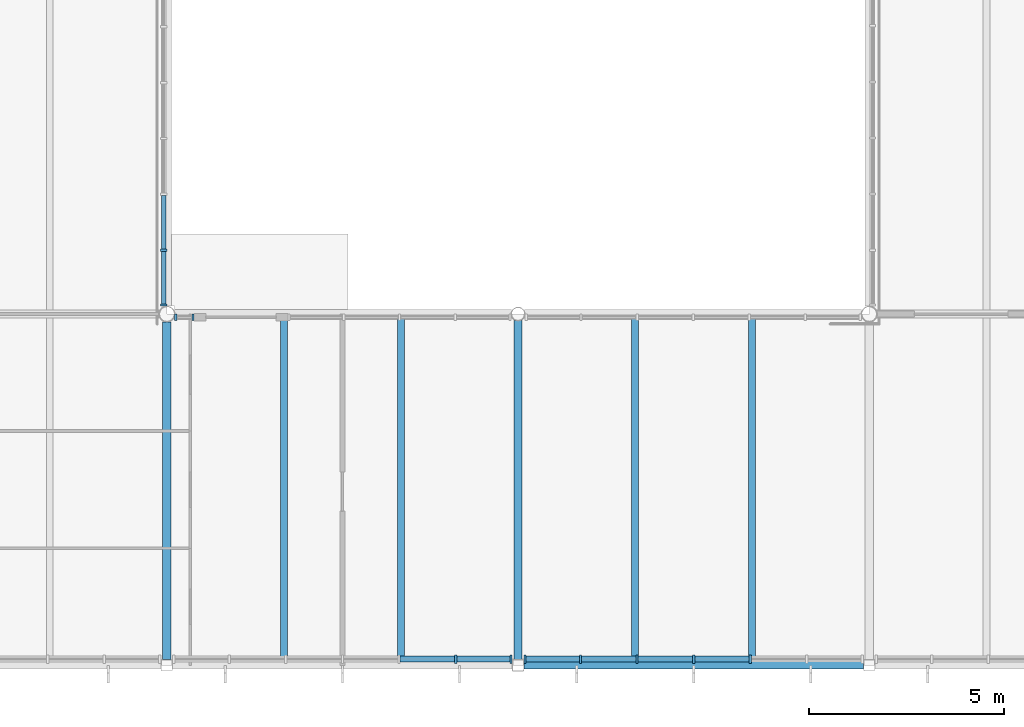
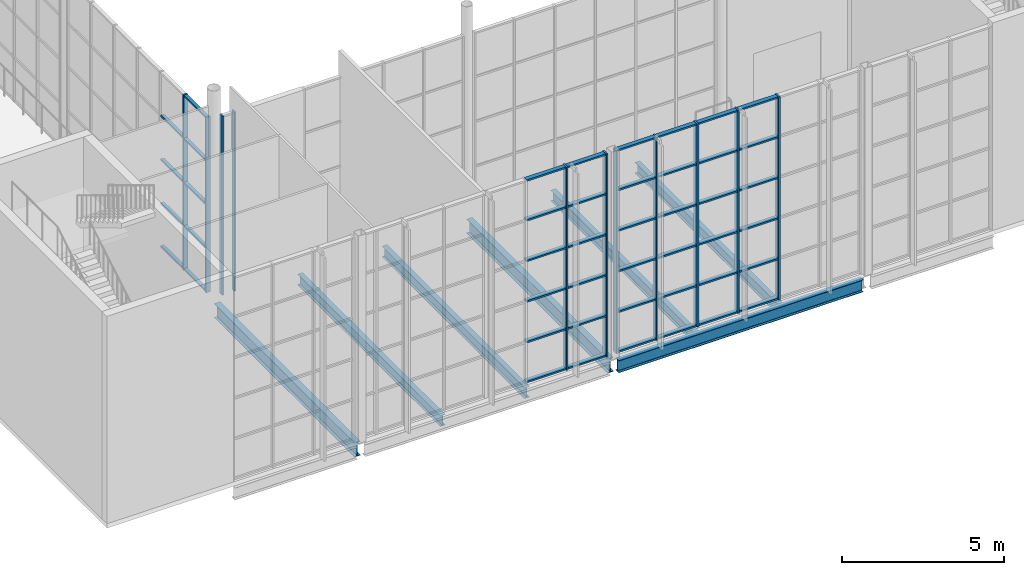
# One storey, part 47 of 90: 56 members, 7 beams, 4 elements without a shape of their own.
"""IFC4 building model written with IfcOpenShell, lengths in metres."""

from ifc_helpers import new_model, si_unit, direction, frame, origin, origin_2d, place, context, subcontext, project, spatial, rectangle, i_section, extrude, material, layer, layer_set, material_profile, profile_set, type_object, element, aggregate, save


model = new_model("IFC4")

# Units and contexts
model_context = context("Model", 3, precision=1e-05, world=origin(), true_north=direction((0.0, 1.0)))
body_context = subcontext(model_context, "Body", "Model", "MODEL_VIEW")
ifc_project = project(units=[si_unit("LENGTHUNIT", "METRE"), si_unit("AREAUNIT", "SQUARE_METRE"), si_unit("VOLUMEUNIT", "CUBIC_METRE"), si_unit("PLANEANGLEUNIT", "RADIAN"), si_unit("MASSUNIT", "GRAM", prefix="KILO")], contexts=[model_context])

# Site, building, storey
site_placement = place(None, origin())
site = spatial("IfcSite", under=ifc_project, at=site_placement, CompositionType="ELEMENT")
building_placement = place(site_placement, origin())
building = spatial("IfcBuilding", under=site, at=building_placement, Name="Halyard Row Museum", CompositionType="ELEMENT")
storey_placement = place(building_placement, frame((0.0, 0.0, 13.39990234375)))
storey = spatial("IfcBuildingStorey", under=building, at=storey_placement, Name="L03", CompositionType="ELEMENT", Elevation=13.39990234375)

# Curtain wall, members
ifc_material_1 = material(Name="Double glazed unit, low-emissivity", Category="glass")
ifc_layer_1 = layer(ifc_material_1, 0.219970703125)
ifc_layer_set_1 = layer_set([ifc_layer_1], Name="Double glazed unit, low-emissivity")
curtain_wall_type_1 = type_object("IfcCurtainWallType", Name="Curtain wall unitised 220 deep", PredefinedType="NOTDEFINED", material=ifc_layer_set_1)
curtain_wall_1_placement = place(storey_placement, origin())
curtain_wall_1 = element("IfcCurtainWall", 1, at=curtain_wall_1_placement, inside=storey, type_object=curtain_wall_type_1, Name="Curtain wall CW045", PredefinedType="NOTDEFINED")
ifc_material_2 = material(Name="Powder-coated aluminium section", Category="aluminium")
ifc_material_profile_1 = material_profile(ifc_material_2, rectangle(XDim=0.219970703125, YDim=0.06005859375, at=origin_2d()), Name="220x60 mullion")
ifc_profile_set_1 = profile_set([ifc_material_profile_1], Name="Powder-coated aluminium section")
member_type_1 = type_object("IfcMemberType", Name="Curtain wall mullion CM3 60 x 220", PredefinedType="MULLION", material=ifc_profile_set_1)
member_1_placement = place(storey_placement, frame((88.39990234375, 0.159912109375, 0.0), z_axis=(0.0, 0.0, 1.0), x_axis=(0.0, 1.0, 0.0)))
member_1 = element("IfcMember", 2, at=member_1_placement, type_object=member_type_1, Name="CW045 mullion 6", PredefinedType="MULLION", context=body_context, shape_type="SweptSolid", body=[
    extrude(rectangle(XDim=0.219970703125, YDim=0.06005859375, at=origin_2d()), origin(), (0.0, 0.0, 1.0), 7.635009765625),
])
member_2_placement = place(storey_placement, frame((89.820068359375, 0.159912109375, 0.0), z_axis=(0.0, 0.0, 1.0), x_axis=(0.0, 1.0, 0.0)))
member_2 = element("IfcMember", 3, at=member_2_placement, type_object=member_type_1, Name="CW045 mullion 7", PredefinedType="MULLION", context=body_context, shape_type="SweptSolid", body=[
    extrude(rectangle(XDim=0.219970703125, YDim=0.06005859375, at=origin_2d()), origin(), (0.0, 0.0, 1.0), 7.635009765625),
])

curtain_wall_2_placement = place(storey_placement, origin())
curtain_wall_2 = element("IfcCurtainWall", 4, at=curtain_wall_2_placement, inside=storey, type_object=curtain_wall_type_1, Name="Curtain wall CW046", PredefinedType="NOTDEFINED")
member_3_placement = place(storey_placement, frame((90.179931640625, 0.159912109375, 0.0), z_axis=(0.0, 0.0, 1.0), x_axis=(0.0, 1.0, 0.0)))
member_3 = element("IfcMember", 5, at=member_3_placement, type_object=member_type_1, Name="CW046 mullion 1", PredefinedType="MULLION", context=body_context, shape_type="SweptSolid", body=[
    extrude(rectangle(XDim=0.219970703125, YDim=0.06005859375, at=origin_2d()), origin(), (0.0, 0.0, 1.0), 7.635009765625),
])
member_4_placement = place(storey_placement, frame((91.60009765625, 0.159912109375, 0.0), z_axis=(0.0, 0.0, 1.0), x_axis=(0.0, 1.0, 0.0)))
member_4 = element("IfcMember", 6, at=member_4_placement, type_object=member_type_1, Name="CW046 mullion 2", PredefinedType="MULLION", context=body_context, shape_type="SweptSolid", body=[
    extrude(rectangle(XDim=0.219970703125, YDim=0.06005859375, at=origin_2d()), origin(), (0.0, 0.0, 1.0), 7.635009765625),
])
member_5_placement = place(storey_placement, frame((93.050048828125, 0.159912109375, 0.0), z_axis=(0.0, 0.0, 1.0), x_axis=(0.0, 1.0, 0.0)))
member_5 = element("IfcMember", 7, at=member_5_placement, type_object=member_type_1, Name="CW046 mullion 3", PredefinedType="MULLION", context=body_context, shape_type="SweptSolid", body=[
    extrude(rectangle(XDim=0.219970703125, YDim=0.06005859375, at=origin_2d()), origin(), (0.0, 0.0, 1.0), 7.635009765625),
])
member_6_placement = place(storey_placement, frame((94.5, 0.159912109375, 0.0), z_axis=(0.0, 0.0, 1.0), x_axis=(0.0, 1.0, 0.0)))
member_6 = element("IfcMember", 8, at=member_6_placement, type_object=member_type_1, Name="CW046 mullion 4", PredefinedType="MULLION", context=body_context, shape_type="SweptSolid", body=[
    extrude(rectangle(XDim=0.219970703125, YDim=0.06005859375, at=origin_2d()), origin(), (0.0, 0.0, 1.0), 7.635009765625),
])
member_7_placement = place(storey_placement, frame((95.949951171875, 0.159912109375, 0.0), z_axis=(0.0, 0.0, 1.0), x_axis=(0.0, 1.0, 0.0)))
member_7 = element("IfcMember", 9, at=member_7_placement, type_object=member_type_1, Name="CW046 mullion 5", PredefinedType="MULLION", context=body_context, shape_type="SweptSolid", body=[
    extrude(rectangle(XDim=0.219970703125, YDim=0.06005859375, at=origin_2d()), origin(), (0.0, 0.0, 1.0), 7.635009765625),
])

ifc_material_3 = material(Name="Fire-resisting laminated glazing", Category="glass")
ifc_layer_2 = layer(ifc_material_3, 0.159912109375)
ifc_layer_set_2 = layer_set([ifc_layer_2], Name="Fire-resisting laminated glazing")
curtain_wall_type_2 = type_object("IfcCurtainWallType", Name="Curtain wall atrium screen 160 deep", PredefinedType="NOTDEFINED", material=ifc_layer_set_2)
curtain_wall_3_placement = place(storey_placement, origin())
curtain_wall_3 = element("IfcCurtainWall", 10, at=curtain_wall_3_placement, inside=storey, type_object=curtain_wall_type_2, Name="Curtain wall CW093", PredefinedType="NOTDEFINED")
ifc_material_4 = material(Name="Powder-coated aluminium section", Category="aluminium")
ifc_material_profile_2 = material_profile(ifc_material_4, rectangle(XDim=0.159912109375, YDim=0.06005859375, at=origin_2d()), Name="160x60 mullion")
ifc_profile_set_2 = profile_set([ifc_material_profile_2], Name="Powder-coated aluminium section")
member_type_2 = type_object("IfcMemberType", Name="Curtain wall mullion CM5 60 x 160", PredefinedType="MULLION", material=ifc_profile_set_2)
member_8_placement = place(storey_placement, frame((81.233154296875, 8.919921875, 0.0), z_axis=(0.0, 0.0, 1.0), x_axis=(0.0, 1.0, 0.0)))
member_8 = element("IfcMember", 11, at=member_8_placement, type_object=member_type_2, Name="CW093 mullion 1", PredefinedType="MULLION", context=body_context, shape_type="SweptSolid", body=[
    extrude(rectangle(XDim=0.159912109375, YDim=0.06005859375, at=origin_2d()), origin(), (0.0, 0.0, 1.0), 6.732177734375),
])
member_9_placement = place(storey_placement, frame((81.669921875, 8.919921875, 0.0), z_axis=(0.0, 0.0, 1.0), x_axis=(0.0, 1.0, 0.0)))
member_9 = element("IfcMember", 12, at=member_9_placement, type_object=member_type_2, Name="CW093 mullion 2", PredefinedType="MULLION", context=body_context, shape_type="SweptSolid", body=[
    extrude(rectangle(XDim=0.159912109375, YDim=0.06005859375, at=origin_2d()), origin(), (0.0, 0.0, 1.0), 6.732177734375),
])
aggregate(curtain_wall_3, [member_8, member_9])

curtain_wall_4_placement = place(storey_placement, origin())
curtain_wall_4 = element("IfcCurtainWall", 13, at=curtain_wall_4_placement, inside=storey, type_object=curtain_wall_type_2, Name="Curtain wall CW101", PredefinedType="NOTDEFINED")
member_10_placement = place(storey_placement, frame((80.919921875, 10.635498046875, 0.0), z_axis=(0.0, 0.0, 1.0), x_axis=(1.0, 0.0, 0.0)))
member_10 = element("IfcMember", 14, at=member_10_placement, type_object=member_type_2, Name="CW101 mullion 6", PredefinedType="MULLION", context=body_context, shape_type="SweptSolid", body=[
    extrude(rectangle(XDim=0.159912109375, YDim=0.06005859375, at=origin_2d()), origin(), (0.0, 0.0, 1.0), 6.585205078125),
])
member_11_placement = place(storey_placement, frame((80.919921875, 9.233154296875, 0.0), z_axis=(0.0, 0.0, 1.0), x_axis=(1.0, 0.0, 0.0)))
member_11 = element("IfcMember", 15, at=member_11_placement, type_object=member_type_2, Name="CW101 mullion 7", PredefinedType="MULLION", context=body_context, shape_type="SweptSolid", body=[
    extrude(rectangle(XDim=0.159912109375, YDim=0.06005859375, at=origin_2d()), origin(), (0.0, 0.0, 1.0), 6.585205078125),
])

# Member
ifc_material_5 = material(Name="Powder-coated aluminium section", Category="aluminium")
ifc_material_profile_3 = material_profile(ifc_material_5, rectangle(XDim=0.159912109375, YDim=0.06005859375, at=origin_2d()), Name="160x60 transom")
ifc_profile_set_3 = profile_set([ifc_material_profile_3], Name="Powder-coated aluminium section")
member_type_3 = type_object("IfcMemberType", Name="Curtain wall transom CT3 60 x 160", PredefinedType="USERDEFINED", material=ifc_profile_set_3)
member_12_placement = place(storey_placement, frame((86.97998046875, 0.159912109375, 0.030029296875), z_axis=(1.0, 0.0, 0.0), x_axis=(0.0, 1.0, 0.0)))
member_12 = element("IfcMember", 16, at=member_12_placement, type_object=member_type_3, Name="CW045 transom 5.1", ObjectType="TRANSOM", PredefinedType="USERDEFINED", context=body_context, shape_type="SweptSolid", body=[
    extrude(rectangle(XDim=0.159912109375, YDim=0.06005859375, at=origin_2d()), origin(), (0.0, 0.0, 1.0), 1.39013671875),
])

member_13_placement = place(storey_placement, frame((86.97998046875, 0.159912109375, 1.527099609375), z_axis=(1.0, 0.0, 0.0), x_axis=(0.0, 1.0, 0.0)))
member_13 = element("IfcMember", 17, at=member_13_placement, type_object=member_type_3, Name="CW045 transom 5.2", ObjectType="TRANSOM", PredefinedType="USERDEFINED", context=body_context, shape_type="SweptSolid", body=[
    extrude(rectangle(XDim=0.159912109375, YDim=0.06005859375, at=origin_2d()), origin(), (0.0, 0.0, 1.0), 1.39013671875),
])

member_14_placement = place(storey_placement, frame((86.97998046875, 0.159912109375, 3.05419921875), z_axis=(1.0, 0.0, 0.0), x_axis=(0.0, 1.0, 0.0)))
member_14 = element("IfcMember", 18, at=member_14_placement, type_object=member_type_3, Name="CW045 transom 5.3", ObjectType="TRANSOM", PredefinedType="USERDEFINED", context=body_context, shape_type="SweptSolid", body=[
    extrude(rectangle(XDim=0.159912109375, YDim=0.06005859375, at=origin_2d()), origin(), (0.0, 0.0, 1.0), 1.39013671875),
])

member_15_placement = place(storey_placement, frame((86.97998046875, 0.159912109375, 4.5810546875), z_axis=(1.0, 0.0, 0.0), x_axis=(0.0, 1.0, 0.0)))
member_15 = element("IfcMember", 19, at=member_15_placement, type_object=member_type_3, Name="CW045 transom 5.4", ObjectType="TRANSOM", PredefinedType="USERDEFINED", context=body_context, shape_type="SweptSolid", body=[
    extrude(rectangle(XDim=0.159912109375, YDim=0.06005859375, at=origin_2d()), origin(), (0.0, 0.0, 1.0), 1.39013671875),
])

member_16_placement = place(storey_placement, frame((86.97998046875, 0.159912109375, 6.108154296875), z_axis=(1.0, 0.0, 0.0), x_axis=(0.0, 1.0, 0.0)))
member_16 = element("IfcMember", 20, at=member_16_placement, type_object=member_type_3, Name="CW045 transom 5.5", ObjectType="TRANSOM", PredefinedType="USERDEFINED", context=body_context, shape_type="SweptSolid", body=[
    extrude(rectangle(XDim=0.159912109375, YDim=0.06005859375, at=origin_2d()), origin(), (0.0, 0.0, 1.0), 1.39013671875),
])

member_17_placement = place(storey_placement, frame((86.97998046875, 0.159912109375, 7.60498046875), z_axis=(1.0, 0.0, 0.0), x_axis=(0.0, 1.0, 0.0)))
member_17 = element("IfcMember", 21, at=member_17_placement, type_object=member_type_3, Name="CW045 transom 5.6", ObjectType="TRANSOM", PredefinedType="USERDEFINED", context=body_context, shape_type="SweptSolid", body=[
    extrude(rectangle(XDim=0.159912109375, YDim=0.06005859375, at=origin_2d()), origin(), (0.0, 0.0, 1.0), 1.39013671875),
])

member_18_placement = place(storey_placement, frame((88.429931640625, 0.159912109375, 0.030029296875), z_axis=(1.0, 0.0, 0.0), x_axis=(0.0, 1.0, 0.0)))
member_18 = element("IfcMember", 22, at=member_18_placement, type_object=member_type_3, Name="CW045 transom 6.1", ObjectType="TRANSOM", PredefinedType="USERDEFINED", context=body_context, shape_type="SweptSolid", body=[
    extrude(rectangle(XDim=0.159912109375, YDim=0.06005859375, at=origin_2d()), origin(), (0.0, 0.0, 1.0), 1.360107421875),
])

member_19_placement = place(storey_placement, frame((88.429931640625, 0.159912109375, 1.527099609375), z_axis=(1.0, 0.0, 0.0), x_axis=(0.0, 1.0, 0.0)))
member_19 = element("IfcMember", 23, at=member_19_placement, type_object=member_type_3, Name="CW045 transom 6.2", ObjectType="TRANSOM", PredefinedType="USERDEFINED", context=body_context, shape_type="SweptSolid", body=[
    extrude(rectangle(XDim=0.159912109375, YDim=0.06005859375, at=origin_2d()), origin(), (0.0, 0.0, 1.0), 1.360107421875),
])

member_20_placement = place(storey_placement, frame((88.429931640625, 0.159912109375, 3.05419921875), z_axis=(1.0, 0.0, 0.0), x_axis=(0.0, 1.0, 0.0)))
member_20 = element("IfcMember", 24, at=member_20_placement, type_object=member_type_3, Name="CW045 transom 6.3", ObjectType="TRANSOM", PredefinedType="USERDEFINED", context=body_context, shape_type="SweptSolid", body=[
    extrude(rectangle(XDim=0.159912109375, YDim=0.06005859375, at=origin_2d()), origin(), (0.0, 0.0, 1.0), 1.360107421875),
])

member_21_placement = place(storey_placement, frame((88.429931640625, 0.159912109375, 4.5810546875), z_axis=(1.0, 0.0, 0.0), x_axis=(0.0, 1.0, 0.0)))
member_21 = element("IfcMember", 25, at=member_21_placement, type_object=member_type_3, Name="CW045 transom 6.4", ObjectType="TRANSOM", PredefinedType="USERDEFINED", context=body_context, shape_type="SweptSolid", body=[
    extrude(rectangle(XDim=0.159912109375, YDim=0.06005859375, at=origin_2d()), origin(), (0.0, 0.0, 1.0), 1.360107421875),
])

member_22_placement = place(storey_placement, frame((88.429931640625, 0.159912109375, 6.108154296875), z_axis=(1.0, 0.0, 0.0), x_axis=(0.0, 1.0, 0.0)))
member_22 = element("IfcMember", 26, at=member_22_placement, type_object=member_type_3, Name="CW045 transom 6.5", ObjectType="TRANSOM", PredefinedType="USERDEFINED", context=body_context, shape_type="SweptSolid", body=[
    extrude(rectangle(XDim=0.159912109375, YDim=0.06005859375, at=origin_2d()), origin(), (0.0, 0.0, 1.0), 1.360107421875),
])

member_23_placement = place(storey_placement, frame((88.429931640625, 0.159912109375, 7.60498046875), z_axis=(1.0, 0.0, 0.0), x_axis=(0.0, 1.0, 0.0)))
member_23 = element("IfcMember", 27, at=member_23_placement, type_object=member_type_3, Name="CW045 transom 6.6", ObjectType="TRANSOM", PredefinedType="USERDEFINED", context=body_context, shape_type="SweptSolid", body=[
    extrude(rectangle(XDim=0.159912109375, YDim=0.06005859375, at=origin_2d()), origin(), (0.0, 0.0, 1.0), 1.360107421875),
])

aggregate(curtain_wall_1, [member_1, member_2, member_12, member_13, member_14, member_15, member_16, member_17, member_18, member_19, member_20, member_21, member_22, member_23])

member_24_placement = place(storey_placement, frame((90.2099609375, 0.159912109375, 0.030029296875), z_axis=(1.0, 0.0, 0.0), x_axis=(0.0, 1.0, 0.0)))
member_24 = element("IfcMember", 28, at=member_24_placement, type_object=member_type_3, Name="CW046 transom 1.1", ObjectType="TRANSOM", PredefinedType="USERDEFINED", context=body_context, shape_type="SweptSolid", body=[
    extrude(rectangle(XDim=0.159912109375, YDim=0.06005859375, at=origin_2d()), origin(), (0.0, 0.0, 1.0), 1.360107421875),
])

member_25_placement = place(storey_placement, frame((90.2099609375, 0.159912109375, 1.527099609375), z_axis=(1.0, 0.0, 0.0), x_axis=(0.0, 1.0, 0.0)))
member_25 = element("IfcMember", 29, at=member_25_placement, type_object=member_type_3, Name="CW046 transom 1.2", ObjectType="TRANSOM", PredefinedType="USERDEFINED", context=body_context, shape_type="SweptSolid", body=[
    extrude(rectangle(XDim=0.159912109375, YDim=0.06005859375, at=origin_2d()), origin(), (0.0, 0.0, 1.0), 1.360107421875),
])

member_26_placement = place(storey_placement, frame((90.2099609375, 0.159912109375, 3.05419921875), z_axis=(1.0, 0.0, 0.0), x_axis=(0.0, 1.0, 0.0)))
member_26 = element("IfcMember", 30, at=member_26_placement, type_object=member_type_3, Name="CW046 transom 1.3", ObjectType="TRANSOM", PredefinedType="USERDEFINED", context=body_context, shape_type="SweptSolid", body=[
    extrude(rectangle(XDim=0.159912109375, YDim=0.06005859375, at=origin_2d()), origin(), (0.0, 0.0, 1.0), 1.360107421875),
])

member_27_placement = place(storey_placement, frame((90.2099609375, 0.159912109375, 4.5810546875), z_axis=(1.0, 0.0, 0.0), x_axis=(0.0, 1.0, 0.0)))
member_27 = element("IfcMember", 31, at=member_27_placement, type_object=member_type_3, Name="CW046 transom 1.4", ObjectType="TRANSOM", PredefinedType="USERDEFINED", context=body_context, shape_type="SweptSolid", body=[
    extrude(rectangle(XDim=0.159912109375, YDim=0.06005859375, at=origin_2d()), origin(), (0.0, 0.0, 1.0), 1.360107421875),
])

member_28_placement = place(storey_placement, frame((90.2099609375, 0.159912109375, 6.108154296875), z_axis=(1.0, 0.0, 0.0), x_axis=(0.0, 1.0, 0.0)))
member_28 = element("IfcMember", 32, at=member_28_placement, type_object=member_type_3, Name="CW046 transom 1.5", ObjectType="TRANSOM", PredefinedType="USERDEFINED", context=body_context, shape_type="SweptSolid", body=[
    extrude(rectangle(XDim=0.159912109375, YDim=0.06005859375, at=origin_2d()), origin(), (0.0, 0.0, 1.0), 1.360107421875),
])

member_29_placement = place(storey_placement, frame((90.2099609375, 0.159912109375, 7.60498046875), z_axis=(1.0, 0.0, 0.0), x_axis=(0.0, 1.0, 0.0)))
member_29 = element("IfcMember", 33, at=member_29_placement, type_object=member_type_3, Name="CW046 transom 1.6", ObjectType="TRANSOM", PredefinedType="USERDEFINED", context=body_context, shape_type="SweptSolid", body=[
    extrude(rectangle(XDim=0.159912109375, YDim=0.06005859375, at=origin_2d()), origin(), (0.0, 0.0, 1.0), 1.360107421875),
])

member_30_placement = place(storey_placement, frame((91.6298828125, 0.159912109375, 0.030029296875), z_axis=(1.0, 0.0, 0.0), x_axis=(0.0, 1.0, 0.0)))
member_30 = element("IfcMember", 34, at=member_30_placement, type_object=member_type_3, Name="CW046 transom 2.1", ObjectType="TRANSOM", PredefinedType="USERDEFINED", context=body_context, shape_type="SweptSolid", body=[
    extrude(rectangle(XDim=0.159912109375, YDim=0.06005859375, at=origin_2d()), origin(), (0.0, 0.0, 1.0), 1.39013671875),
])

member_31_placement = place(storey_placement, frame((91.6298828125, 0.159912109375, 1.527099609375), z_axis=(1.0, 0.0, 0.0), x_axis=(0.0, 1.0, 0.0)))
member_31 = element("IfcMember", 35, at=member_31_placement, type_object=member_type_3, Name="CW046 transom 2.2", ObjectType="TRANSOM", PredefinedType="USERDEFINED", context=body_context, shape_type="SweptSolid", body=[
    extrude(rectangle(XDim=0.159912109375, YDim=0.06005859375, at=origin_2d()), origin(), (0.0, 0.0, 1.0), 1.39013671875),
])

member_32_placement = place(storey_placement, frame((91.6298828125, 0.159912109375, 3.05419921875), z_axis=(1.0, 0.0, 0.0), x_axis=(0.0, 1.0, 0.0)))
member_32 = element("IfcMember", 36, at=member_32_placement, type_object=member_type_3, Name="CW046 transom 2.3", ObjectType="TRANSOM", PredefinedType="USERDEFINED", context=body_context, shape_type="SweptSolid", body=[
    extrude(rectangle(XDim=0.159912109375, YDim=0.06005859375, at=origin_2d()), origin(), (0.0, 0.0, 1.0), 1.39013671875),
])

member_33_placement = place(storey_placement, frame((91.6298828125, 0.159912109375, 4.5810546875), z_axis=(1.0, 0.0, 0.0), x_axis=(0.0, 1.0, 0.0)))
member_33 = element("IfcMember", 37, at=member_33_placement, type_object=member_type_3, Name="CW046 transom 2.4", ObjectType="TRANSOM", PredefinedType="USERDEFINED", context=body_context, shape_type="SweptSolid", body=[
    extrude(rectangle(XDim=0.159912109375, YDim=0.06005859375, at=origin_2d()), origin(), (0.0, 0.0, 1.0), 1.39013671875),
])

member_34_placement = place(storey_placement, frame((91.6298828125, 0.159912109375, 6.108154296875), z_axis=(1.0, 0.0, 0.0), x_axis=(0.0, 1.0, 0.0)))
member_34 = element("IfcMember", 38, at=member_34_placement, type_object=member_type_3, Name="CW046 transom 2.5", ObjectType="TRANSOM", PredefinedType="USERDEFINED", context=body_context, shape_type="SweptSolid", body=[
    extrude(rectangle(XDim=0.159912109375, YDim=0.06005859375, at=origin_2d()), origin(), (0.0, 0.0, 1.0), 1.39013671875),
])

member_35_placement = place(storey_placement, frame((91.6298828125, 0.159912109375, 7.60498046875), z_axis=(1.0, 0.0, 0.0), x_axis=(0.0, 1.0, 0.0)))
member_35 = element("IfcMember", 39, at=member_35_placement, type_object=member_type_3, Name="CW046 transom 2.6", ObjectType="TRANSOM", PredefinedType="USERDEFINED", context=body_context, shape_type="SweptSolid", body=[
    extrude(rectangle(XDim=0.159912109375, YDim=0.06005859375, at=origin_2d()), origin(), (0.0, 0.0, 1.0), 1.39013671875),
])

member_36_placement = place(storey_placement, frame((93.080078125, 0.159912109375, 0.030029296875), z_axis=(1.0, 0.0, 0.0), x_axis=(0.0, 1.0, 0.0)))
member_36 = element("IfcMember", 40, at=member_36_placement, type_object=member_type_3, Name="CW046 transom 3.1", ObjectType="TRANSOM", PredefinedType="USERDEFINED", context=body_context, shape_type="SweptSolid", body=[
    extrude(rectangle(XDim=0.159912109375, YDim=0.06005859375, at=origin_2d()), origin(), (0.0, 0.0, 1.0), 1.389892578125),
])

member_37_placement = place(storey_placement, frame((93.080078125, 0.159912109375, 1.527099609375), z_axis=(1.0, 0.0, 0.0), x_axis=(0.0, 1.0, 0.0)))
member_37 = element("IfcMember", 41, at=member_37_placement, type_object=member_type_3, Name="CW046 transom 3.2", ObjectType="TRANSOM", PredefinedType="USERDEFINED", context=body_context, shape_type="SweptSolid", body=[
    extrude(rectangle(XDim=0.159912109375, YDim=0.06005859375, at=origin_2d()), origin(), (0.0, 0.0, 1.0), 1.389892578125),
])

member_38_placement = place(storey_placement, frame((93.080078125, 0.159912109375, 3.05419921875), z_axis=(1.0, 0.0, 0.0), x_axis=(0.0, 1.0, 0.0)))
member_38 = element("IfcMember", 42, at=member_38_placement, type_object=member_type_3, Name="CW046 transom 3.3", ObjectType="TRANSOM", PredefinedType="USERDEFINED", context=body_context, shape_type="SweptSolid", body=[
    extrude(rectangle(XDim=0.159912109375, YDim=0.06005859375, at=origin_2d()), origin(), (0.0, 0.0, 1.0), 1.389892578125),
])

member_39_placement = place(storey_placement, frame((93.080078125, 0.159912109375, 4.5810546875), z_axis=(1.0, 0.0, 0.0), x_axis=(0.0, 1.0, 0.0)))
member_39 = element("IfcMember", 43, at=member_39_placement, type_object=member_type_3, Name="CW046 transom 3.4", ObjectType="TRANSOM", PredefinedType="USERDEFINED", context=body_context, shape_type="SweptSolid", body=[
    extrude(rectangle(XDim=0.159912109375, YDim=0.06005859375, at=origin_2d()), origin(), (0.0, 0.0, 1.0), 1.389892578125),
])

member_40_placement = place(storey_placement, frame((93.080078125, 0.159912109375, 6.108154296875), z_axis=(1.0, 0.0, 0.0), x_axis=(0.0, 1.0, 0.0)))
member_40 = element("IfcMember", 44, at=member_40_placement, type_object=member_type_3, Name="CW046 transom 3.5", ObjectType="TRANSOM", PredefinedType="USERDEFINED", context=body_context, shape_type="SweptSolid", body=[
    extrude(rectangle(XDim=0.159912109375, YDim=0.06005859375, at=origin_2d()), origin(), (0.0, 0.0, 1.0), 1.389892578125),
])

member_41_placement = place(storey_placement, frame((93.080078125, 0.159912109375, 7.60498046875), z_axis=(1.0, 0.0, 0.0), x_axis=(0.0, 1.0, 0.0)))
member_41 = element("IfcMember", 45, at=member_41_placement, type_object=member_type_3, Name="CW046 transom 3.6", ObjectType="TRANSOM", PredefinedType="USERDEFINED", context=body_context, shape_type="SweptSolid", body=[
    extrude(rectangle(XDim=0.159912109375, YDim=0.06005859375, at=origin_2d()), origin(), (0.0, 0.0, 1.0), 1.389892578125),
])

member_42_placement = place(storey_placement, frame((94.530029296875, 0.159912109375, 0.030029296875), z_axis=(1.0, 0.0, 0.0), x_axis=(0.0, 1.0, 0.0)))
member_42 = element("IfcMember", 46, at=member_42_placement, type_object=member_type_3, Name="CW046 transom 4.1", ObjectType="TRANSOM", PredefinedType="USERDEFINED", context=body_context, shape_type="SweptSolid", body=[
    extrude(rectangle(XDim=0.159912109375, YDim=0.06005859375, at=origin_2d()), origin(), (0.0, 0.0, 1.0), 1.389892578125),
])

member_43_placement = place(storey_placement, frame((94.530029296875, 0.159912109375, 1.527099609375), z_axis=(1.0, 0.0, 0.0), x_axis=(0.0, 1.0, 0.0)))
member_43 = element("IfcMember", 47, at=member_43_placement, type_object=member_type_3, Name="CW046 transom 4.2", ObjectType="TRANSOM", PredefinedType="USERDEFINED", context=body_context, shape_type="SweptSolid", body=[
    extrude(rectangle(XDim=0.159912109375, YDim=0.06005859375, at=origin_2d()), origin(), (0.0, 0.0, 1.0), 1.389892578125),
])

member_44_placement = place(storey_placement, frame((94.530029296875, 0.159912109375, 3.05419921875), z_axis=(1.0, 0.0, 0.0), x_axis=(0.0, 1.0, 0.0)))
member_44 = element("IfcMember", 48, at=member_44_placement, type_object=member_type_3, Name="CW046 transom 4.3", ObjectType="TRANSOM", PredefinedType="USERDEFINED", context=body_context, shape_type="SweptSolid", body=[
    extrude(rectangle(XDim=0.159912109375, YDim=0.06005859375, at=origin_2d()), origin(), (0.0, 0.0, 1.0), 1.389892578125),
])

member_45_placement = place(storey_placement, frame((94.530029296875, 0.159912109375, 4.5810546875), z_axis=(1.0, 0.0, 0.0), x_axis=(0.0, 1.0, 0.0)))
member_45 = element("IfcMember", 49, at=member_45_placement, type_object=member_type_3, Name="CW046 transom 4.4", ObjectType="TRANSOM", PredefinedType="USERDEFINED", context=body_context, shape_type="SweptSolid", body=[
    extrude(rectangle(XDim=0.159912109375, YDim=0.06005859375, at=origin_2d()), origin(), (0.0, 0.0, 1.0), 1.389892578125),
])

member_46_placement = place(storey_placement, frame((94.530029296875, 0.159912109375, 6.108154296875), z_axis=(1.0, 0.0, 0.0), x_axis=(0.0, 1.0, 0.0)))
member_46 = element("IfcMember", 50, at=member_46_placement, type_object=member_type_3, Name="CW046 transom 4.5", ObjectType="TRANSOM", PredefinedType="USERDEFINED", context=body_context, shape_type="SweptSolid", body=[
    extrude(rectangle(XDim=0.159912109375, YDim=0.06005859375, at=origin_2d()), origin(), (0.0, 0.0, 1.0), 1.389892578125),
])

member_47_placement = place(storey_placement, frame((94.530029296875, 0.159912109375, 7.60498046875), z_axis=(1.0, 0.0, 0.0), x_axis=(0.0, 1.0, 0.0)))
member_47 = element("IfcMember", 51, at=member_47_placement, type_object=member_type_3, Name="CW046 transom 4.6", ObjectType="TRANSOM", PredefinedType="USERDEFINED", context=body_context, shape_type="SweptSolid", body=[
    extrude(rectangle(XDim=0.159912109375, YDim=0.06005859375, at=origin_2d()), origin(), (0.0, 0.0, 1.0), 1.389892578125),
])

aggregate(curtain_wall_2, [member_3, member_4, member_5, member_6, member_7, member_24, member_25, member_26, member_27, member_28, member_29, member_30, member_31, member_32, member_33, member_34, member_35, member_36, member_37, member_38, member_39, member_40, member_41, member_42, member_43, member_44, member_45, member_46, member_47])

ifc_material_6 = material(Name="Powder-coated aluminium section", Category="aluminium")
ifc_material_profile_4 = material_profile(ifc_material_6, rectangle(XDim=0.1201171875, YDim=0.06005859375, at=origin_2d()), Name="120x60 transom")
ifc_profile_set_4 = profile_set([ifc_material_profile_4], Name="Powder-coated aluminium section")
member_type_4 = type_object("IfcMemberType", Name="Curtain wall transom CT5 60 x 120", PredefinedType="USERDEFINED", material=ifc_profile_set_4)
member_48_placement = place(storey_placement, frame((80.919921875, 12.037841796875, 0.030029296875), z_axis=(0.0, -1.0, 0.0), x_axis=(1.0, 0.0, 0.0)))
member_48 = element("IfcMember", 52, at=member_48_placement, type_object=member_type_4, Name="CW101 transom 5.1", ObjectType="TRANSOM", PredefinedType="USERDEFINED", context=body_context, shape_type="SweptSolid", body=[
    extrude(rectangle(XDim=0.1201171875, YDim=0.06005859375, at=origin_2d()), origin(), (0.0, 0.0, 1.0), 1.372314453125),
])

member_49_placement = place(storey_placement, frame((80.919921875, 12.037841796875, 1.646240234375), z_axis=(0.0, -1.0, 0.0), x_axis=(1.0, 0.0, 0.0)))
member_49 = element("IfcMember", 53, at=member_49_placement, type_object=member_type_4, Name="CW101 transom 5.2", ObjectType="TRANSOM", PredefinedType="USERDEFINED", context=body_context, shape_type="SweptSolid", body=[
    extrude(rectangle(XDim=0.1201171875, YDim=0.06005859375, at=origin_2d()), origin(), (0.0, 0.0, 1.0), 1.372314453125),
])

member_50_placement = place(storey_placement, frame((80.919921875, 12.037841796875, 3.29248046875), z_axis=(0.0, -1.0, 0.0), x_axis=(1.0, 0.0, 0.0)))
member_50 = element("IfcMember", 54, at=member_50_placement, type_object=member_type_4, Name="CW101 transom 5.3", ObjectType="TRANSOM", PredefinedType="USERDEFINED", context=body_context, shape_type="SweptSolid", body=[
    extrude(rectangle(XDim=0.1201171875, YDim=0.06005859375, at=origin_2d()), origin(), (0.0, 0.0, 1.0), 1.372314453125),
])

member_51_placement = place(storey_placement, frame((80.919921875, 12.037841796875, 4.93896484375), z_axis=(0.0, -1.0, 0.0), x_axis=(1.0, 0.0, 0.0)))
member_51 = element("IfcMember", 55, at=member_51_placement, type_object=member_type_4, Name="CW101 transom 5.4", ObjectType="TRANSOM", PredefinedType="USERDEFINED", context=body_context, shape_type="SweptSolid", body=[
    extrude(rectangle(XDim=0.1201171875, YDim=0.06005859375, at=origin_2d()), origin(), (0.0, 0.0, 1.0), 1.372314453125),
])

member_52_placement = place(storey_placement, frame((80.919921875, 10.60546875, 0.030029296875), z_axis=(0.0, -1.0, 0.0), x_axis=(1.0, 0.0, 0.0)))
member_52 = element("IfcMember", 56, at=member_52_placement, type_object=member_type_4, Name="CW101 transom 6.1", ObjectType="TRANSOM", PredefinedType="USERDEFINED", context=body_context, shape_type="SweptSolid", body=[
    extrude(rectangle(XDim=0.1201171875, YDim=0.06005859375, at=origin_2d()), origin(), (0.0, 0.0, 1.0), 1.34228515625),
])

member_53_placement = place(storey_placement, frame((80.919921875, 10.60546875, 1.646240234375), z_axis=(0.0, -1.0, 0.0), x_axis=(1.0, 0.0, 0.0)))
member_53 = element("IfcMember", 57, at=member_53_placement, type_object=member_type_4, Name="CW101 transom 6.2", ObjectType="TRANSOM", PredefinedType="USERDEFINED", context=body_context, shape_type="SweptSolid", body=[
    extrude(rectangle(XDim=0.1201171875, YDim=0.06005859375, at=origin_2d()), origin(), (0.0, 0.0, 1.0), 1.34228515625),
])

member_54_placement = place(storey_placement, frame((80.919921875, 10.60546875, 3.29248046875), z_axis=(0.0, -1.0, 0.0), x_axis=(1.0, 0.0, 0.0)))
member_54 = element("IfcMember", 58, at=member_54_placement, type_object=member_type_4, Name="CW101 transom 6.3", ObjectType="TRANSOM", PredefinedType="USERDEFINED", context=body_context, shape_type="SweptSolid", body=[
    extrude(rectangle(XDim=0.1201171875, YDim=0.06005859375, at=origin_2d()), origin(), (0.0, 0.0, 1.0), 1.34228515625),
])

member_55_placement = place(storey_placement, frame((80.919921875, 10.60546875, 4.93896484375), z_axis=(0.0, -1.0, 0.0), x_axis=(1.0, 0.0, 0.0)))
member_55 = element("IfcMember", 59, at=member_55_placement, type_object=member_type_4, Name="CW101 transom 6.4", ObjectType="TRANSOM", PredefinedType="USERDEFINED", context=body_context, shape_type="SweptSolid", body=[
    extrude(rectangle(XDim=0.1201171875, YDim=0.06005859375, at=origin_2d()), origin(), (0.0, 0.0, 1.0), 1.34228515625),
])

member_56_placement = place(storey_placement, frame((80.919921875, 10.60546875, 6.55517578125), z_axis=(0.0, -1.0, 0.0), x_axis=(1.0, 0.0, 0.0)))
member_56 = element("IfcMember", 60, at=member_56_placement, type_object=member_type_4, Name="CW101 transom 6.5", ObjectType="TRANSOM", PredefinedType="USERDEFINED", context=body_context, shape_type="SweptSolid", body=[
    extrude(rectangle(XDim=0.1201171875, YDim=0.06005859375, at=origin_2d()), origin(), (0.0, 0.0, 1.0), 1.34228515625),
])

aggregate(curtain_wall_4, [member_10, member_11, member_48, member_49, member_50, member_51, member_52, member_53, member_54, member_55, member_56])

# Beams
ifc_material_7 = material(Name="Steel Grade 300", Category="steel")
ifc_material_profile_5 = material_profile(ifc_material_7, i_section(OverallWidth=0.18994140625, OverallDepth=0.45751953125, WebThickness=0.009033203125, FlangeThickness=0.014404296875, FilletRadius=0.011474609375, at=origin_2d()), Name="460UB74.6")
ifc_profile_set_5 = profile_set([ifc_material_profile_5], Name="Steel Grade 300")
beam_type_1 = type_object("IfcBeamType", Name="Edge beam 460UB74.6", PredefinedType="BEAM", material=ifc_profile_set_5)
beam_1_placement = place(storey_placement, frame((90.14990234375, 0.0, -0.3935546875), z_axis=(1.0, 0.0, 0.0), x_axis=(0.0, 1.0, 0.0)))
element("IfcBeam", 61, at=beam_1_placement, inside=storey, type_object=beam_type_1, Name="Beam L03-004", PredefinedType="BEAM", context=body_context, shape_type="SweptSolid", body=[
    extrude(i_section(OverallWidth=0.18994140625, OverallDepth=0.45751953125, WebThickness=0.009033203125, FlangeThickness=0.014404296875, FilletRadius=0.011474609375, at=origin_2d()), origin(), (0.0, 0.0, 1.0), 8.7001953125),
])
ifc_material_8 = material(Name="Steel Grade 300", Category="steel")
ifc_material_profile_6 = material_profile(ifc_material_8, i_section(OverallWidth=0.208984375, OverallDepth=0.532958984375, WebThickness=0.01025390625, FlangeThickness=0.015625, FilletRadius=0.013916015625, at=origin_2d()), Name="530UB92.4")
ifc_profile_set_6 = profile_set([ifc_material_profile_6], Name="Steel Grade 300")
beam_type_2 = type_object("IfcBeamType", Name="Girder beam 530UB92.4", PredefinedType="BEAM", material=ifc_profile_set_6)
beam_2_placement = place(storey_placement, frame((81.0, 0.14990234375, -0.431396484375), z_axis=(0.0, 1.0, 0.0), x_axis=(-1.0, 0.0, 0.0)))
element("IfcBeam", 62, at=beam_2_placement, inside=storey, type_object=beam_type_2, Name="Beam L03-056", PredefinedType="BEAM", context=body_context, shape_type="SweptSolid", body=[
    extrude(i_section(OverallWidth=0.208984375, OverallDepth=0.532958984375, WebThickness=0.01025390625, FlangeThickness=0.015625, FilletRadius=0.013916015625, at=origin_2d()), origin(), (0.0, 0.0, 1.0), 8.64697265625),
])
beam_3_placement = place(storey_placement, frame((90.0, 0.14990234375, -0.431396484375), z_axis=(0.0, 1.0, 0.0), x_axis=(-1.0, 0.0, 0.0)))
element("IfcBeam", 63, at=beam_3_placement, inside=storey, type_object=beam_type_2, Name="Beam L03-062", PredefinedType="BEAM", context=body_context, shape_type="SweptSolid", body=[
    extrude(i_section(OverallWidth=0.208984375, OverallDepth=0.532958984375, WebThickness=0.01025390625, FlangeThickness=0.015625, FilletRadius=0.013916015625, at=origin_2d()), origin(), (0.0, 0.0, 1.0), 8.688232421875),
])
ifc_material_9 = material(Name="Steel Grade 300", Category="steel")
ifc_material_profile_7 = material_profile(ifc_material_9, i_section(OverallWidth=0.177978515625, OverallDepth=0.406494140625, WebThickness=0.0078125, FlangeThickness=0.0126953125, FilletRadius=0.011474609375, at=origin_2d()), Name="410UB59.7")
ifc_profile_set_7 = profile_set([ifc_material_profile_7], Name="Steel Grade 300")
beam_type_3 = type_object("IfcBeamType", Name="Secondary beam 410UB59.7", PredefinedType="BEAM", material=ifc_profile_set_7)
for number, where, z_axis, x_axis, name in (
    (64, (84.0, 0.094970703125, -0.3681640625), (0.0, 1.0, 0.0), (-1.0, 0.0, 0.0), "Beam L03-076"),
    (65, (87.0, 0.094970703125, -0.3681640625), (0.0, 1.0, 0.0), (-1.0, 0.0, 0.0), "Beam L03-077"),
    (66, (93.0, 0.094970703125, -0.3681640625), (0.0, 1.0, 0.0), (-1.0, 0.0, 0.0), "Beam L03-078"),
    (67, (96.0, 0.094970703125, -0.3681640625), (0.0, 1.0, 0.0), (-1.0, 0.0, 0.0), "Beam L03-079"),
):
    element("IfcBeam", number, at=place(storey_placement, frame(where, z_axis=z_axis, x_axis=x_axis)), inside=storey, type_object=beam_type_3, Name=name, PredefinedType="BEAM", context=body_context, shape_type="SweptSolid", body=[
        extrude(i_section(OverallWidth=0.177978515625, OverallDepth=0.406494140625, WebThickness=0.0078125, FlangeThickness=0.0126953125, FilletRadius=0.011474609375, at=origin_2d()), origin(), (0.0, 0.0, 1.0), 8.791015625),
    ])

save(model, "model.ifc")
